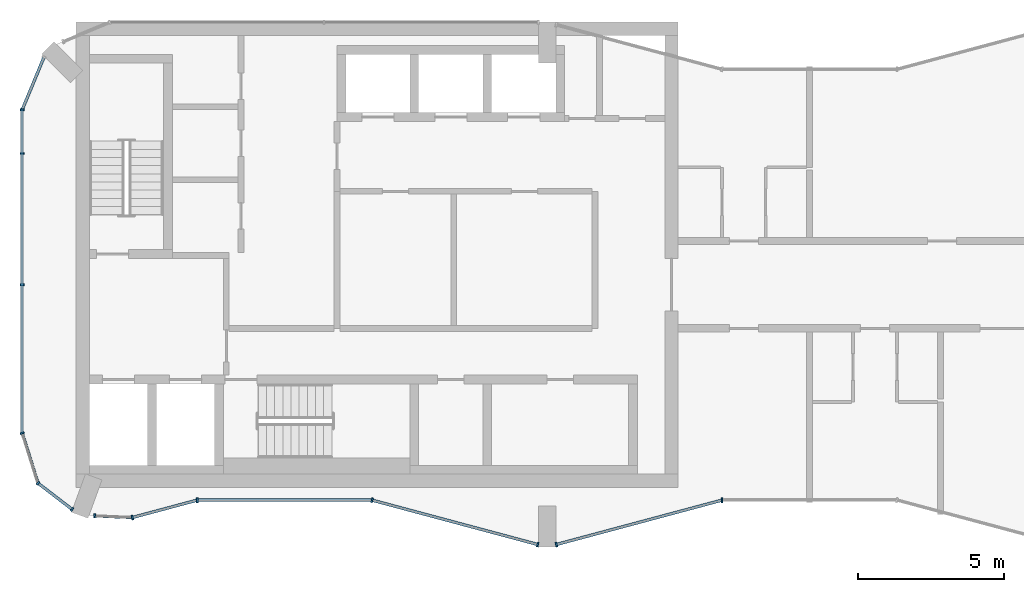
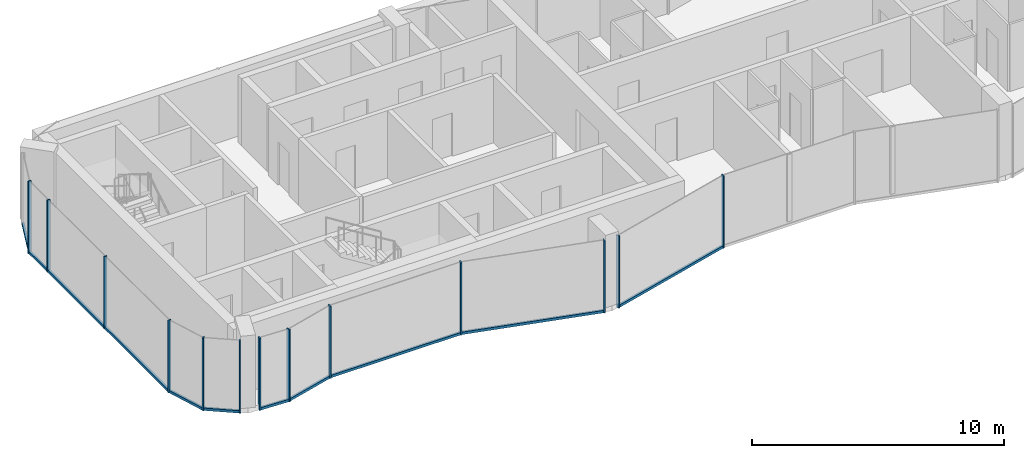
# One storey, part 2 of 10: 22 members, 10 elements without a shape of their own.
"""IFC4 building model written with IfcOpenShell, lengths in metres."""

from ifc_helpers import new_model, si_unit, direction, frame, origin, origin_2d, place, context, subcontext, project, spatial, rectangle, extrude, material, layer, layer_set, material_profile, profile_set, type_object, element, aggregate, save


model = new_model("IFC4")

# Units and contexts
model_context = context("Model", 3, precision=1e-05, world=origin(), true_north=direction((0.0, 1.0)))
body_context = subcontext(model_context, "Body", "Model", "MODEL_VIEW")
ifc_project = project(units=[si_unit("LENGTHUNIT", "METRE"), si_unit("AREAUNIT", "SQUARE_METRE"), si_unit("VOLUMEUNIT", "CUBIC_METRE"), si_unit("PLANEANGLEUNIT", "RADIAN"), si_unit("MASSUNIT", "GRAM", prefix="KILO")], contexts=[model_context])

# Site, building, storey
site_placement = place(None, origin())
site = spatial("IfcSite", under=ifc_project, at=site_placement, CompositionType="ELEMENT")
building_placement = place(site_placement, origin())
building = spatial("IfcBuilding", under=site, at=building_placement, Name="Plateau Cross Towers", CompositionType="ELEMENT")
storey_placement = place(building_placement, frame((0.0, 0.0, 263.39990234375)))
storey = spatial("IfcBuildingStorey", under=building, at=storey_placement, Name="L69", CompositionType="ELEMENT", Elevation=263.39990234375)

# Curtain wall, members
ifc_material_1 = material(Name="Dark low-iron glass", Category="glass")
ifc_layer_1 = layer(ifc_material_1, 0.239990234375)
ifc_layer_set_1 = layer_set([ifc_layer_1], Name="Dark low-iron glass")
curtain_wall_type_1 = type_object("IfcCurtainWallType", Name="Curtain wall flush unitised CW-B", PredefinedType="NOTDEFINED", material=ifc_layer_set_1)
curtain_wall_1_placement = place(storey_placement, origin())
curtain_wall_1 = element("IfcCurtainWall", 1, at=curtain_wall_1_placement, inside=storey, type_object=curtain_wall_type_1, Name="ENV/A/L69/A0_150", PredefinedType="NOTDEFINED")
ifc_material_2 = material(Name="Black anodised aluminium", Category="aluminium")
ifc_material_profile_1 = material_profile(ifc_material_2, rectangle(XDim=0.06005859375, YDim=0.139892578125, at=origin_2d()), Name="MULLION 60x140")
ifc_profile_set_1 = profile_set([ifc_material_profile_1], Name="Black anodised aluminium")
member_type_1 = type_object("IfcMemberType", Name="Mullion 60x140 flush unitised", PredefinedType="MULLION", material=ifc_profile_set_1)
member_1_placement = place(storey_placement, frame((0.0, 15.0, -0.25), z_axis=(0.0, 0.0, 1.0), x_axis=(0.0, -1.0, 0.0)))
member_1 = element("IfcMember", 2, at=member_1_placement, type_object=member_type_1, Name="CW-B mullion 1", PredefinedType="MULLION", context=body_context, shape_type="SweptSolid", body=[
    extrude(rectangle(XDim=0.06005859375, YDim=0.139892578125, at=origin_2d()), origin(), (0.0, 0.0, 1.0), 3.5),
])
member_2_placement = place(storey_placement, frame((0.0, 13.5, -0.25), z_axis=(0.0, 0.0, 1.0), x_axis=(0.0, -1.0, 0.0)))
member_2 = element("IfcMember", 3, at=member_2_placement, type_object=member_type_1, Name="CW-B mullion 2", PredefinedType="MULLION", context=body_context, shape_type="SweptSolid", body=[
    extrude(rectangle(XDim=0.06005859375, YDim=0.139892578125, at=origin_2d()), origin(), (0.0, 0.0, 1.0), 3.5),
])
member_3_placement = place(storey_placement, frame((0.0, 9.0, -0.25), z_axis=(0.0, 0.0, 1.0), x_axis=(0.0, -1.0, 0.0)))
member_3 = element("IfcMember", 4, at=member_3_placement, type_object=member_type_1, Name="CW-B mullion 3", PredefinedType="MULLION", context=body_context, shape_type="SweptSolid", body=[
    extrude(rectangle(XDim=0.06005859375, YDim=0.139892578125, at=origin_2d()), origin(), (0.0, 0.0, 1.0), 3.5),
])

# Curtain wall, member
curtain_wall_2_placement = place(storey_placement, origin())
curtain_wall_2 = element("IfcCurtainWall", 5, at=curtain_wall_2_placement, inside=storey, type_object=curtain_wall_type_1, Name="ENV/A/L69/A0_39", PredefinedType="NOTDEFINED")
member_4_placement = place(storey_placement, frame((0.0, 3.9091796875, -0.25), z_axis=(0.0, 0.0, 1.0), x_axis=(0.300686174994, -0.95372313811, 0.0)))
member_4 = element("IfcMember", 6, at=member_4_placement, type_object=member_type_1, Name="CW-B mullion 1", PredefinedType="MULLION", context=body_context, shape_type="SweptSolid", body=[
    extrude(rectangle(XDim=0.06005859375, YDim=0.139892578125, at=origin_2d()), origin(), (0.0, 0.0, 1.0), 3.5),
])

# Curtain wall, members
curtain_wall_3_placement = place(storey_placement, origin())
curtain_wall_3 = element("IfcCurtainWall", 7, at=curtain_wall_3_placement, inside=storey, type_object=curtain_wall_type_1, Name="ENV/A/L69/A5_22", PredefinedType="NOTDEFINED")
member_5_placement = place(storey_placement, frame((0.54248046875, 2.1884765625, -0.25), z_axis=(0.0, 0.0, 1.0), x_axis=(0.793315514529, -0.608810721331, 0.0)))
member_5 = element("IfcMember", 8, at=member_5_placement, type_object=member_type_1, Name="CW-B mullion 1", PredefinedType="MULLION", context=body_context, shape_type="SweptSolid", body=[
    extrude(rectangle(XDim=0.06005859375, YDim=0.139892578125, at=origin_2d()), origin(), (0.0, 0.0, 1.0), 3.5),
])
member_6_placement = place(storey_placement, frame((1.709716796875, 1.292724609375, -0.25), z_axis=(0.0, 0.0, 1.0), x_axis=(0.793315514529, -0.608810721331, 0.0)))
member_6 = element("IfcMember", 9, at=member_6_placement, type_object=member_type_1, Name="CW-B mullion 2", PredefinedType="MULLION", context=body_context, shape_type="SweptSolid", body=[
    extrude(rectangle(XDim=0.06005859375, YDim=0.139892578125, at=origin_2d()), origin(), (0.0, 0.0, 1.0), 3.5),
])

# Curtain wall, member
curtain_wall_4_placement = place(storey_placement, origin())
curtain_wall_4 = element("IfcCurtainWall", 10, at=curtain_wall_4_placement, inside=storey, type_object=curtain_wall_type_1, Name="ENV/A/L69/A25_11", PredefinedType="NOTDEFINED")
member_7_placement = place(storey_placement, frame((2.483642578125, 1.06787109375, -0.25), z_axis=(0.0, 0.0, 1.0), x_axis=(0.999043701491, -0.043722791671, 0.0)))
member_7 = element("IfcMember", 11, at=member_7_placement, type_object=member_type_1, Name="CW-B mullion 1", PredefinedType="MULLION", context=body_context, shape_type="SweptSolid", body=[
    extrude(rectangle(XDim=0.06005859375, YDim=0.139892578125, at=origin_2d()), origin(), (0.0, 0.0, 1.0), 3.5),
])

ifc_layer_2 = layer(ifc_material_1, 0.260009765625)
ifc_layer_set_2 = layer_set([ifc_layer_2], Name="Dark low-iron glass")
curtain_wall_type_2 = type_object("IfcCurtainWallType", Name="Curtain wall fluted unitised CW-A", PredefinedType="NOTDEFINED", material=ifc_layer_set_2)
curtain_wall_5_placement = place(storey_placement, origin())
curtain_wall_5 = element("IfcCurtainWall", 12, at=curtain_wall_5_placement, inside=storey, type_object=curtain_wall_type_2, Name="ENV/A/L69/A38_10", PredefinedType="NOTDEFINED")
ifc_material_profile_2 = material_profile(ifc_material_2, rectangle(XDim=0.06005859375, YDim=0.159912109375, at=origin_2d()), Name="MULLION 60x160")
ifc_profile_set_2 = profile_set([ifc_material_profile_2], Name="Black anodised aluminium")
member_type_2 = type_object("IfcMemberType", Name="Mullion 60x160 fluted unitised", PredefinedType="MULLION", material=ifc_profile_set_2)
member_8_placement = place(storey_placement, frame((3.776123046875, 1.01123046875, -0.25), z_axis=(0.0, 0.0, 1.0), x_axis=(0.965957962328, 0.258699081978, 0.0)))
member_8 = element("IfcMember", 13, at=member_8_placement, type_object=member_type_2, Name="CW-A mullion 1", PredefinedType="MULLION", context=body_context, shape_type="SweptSolid", body=[
    extrude(rectangle(XDim=0.06005859375, YDim=0.159912109375, at=origin_2d()), origin(), (0.0, 0.0, 1.0), 3.5),
])

curtain_wall_6_placement = place(storey_placement, origin())
curtain_wall_6 = element("IfcCurtainWall", 14, at=curtain_wall_6_placement, inside=storey, type_object=curtain_wall_type_2, Name="ENV/A/L69/A60_16", PredefinedType="NOTDEFINED")
member_9_placement = place(storey_placement, frame((6.0, 1.60693359375, -0.25), z_axis=(0.0, 0.0, 1.0), x_axis=(1.0, 0.0, 0.0)))
member_9 = element("IfcMember", 15, at=member_9_placement, type_object=member_type_2, Name="CW-A mullion 1", PredefinedType="MULLION", context=body_context, shape_type="SweptSolid", body=[
    extrude(rectangle(XDim=0.06005859375, YDim=0.159912109375, at=origin_2d()), origin(), (0.0, 0.0, 1.0), 3.5),
])

# Curtain wall, members
curtain_wall_7_placement = place(storey_placement, origin())
curtain_wall_7 = element("IfcCurtainWall", 16, at=curtain_wall_7_placement, inside=storey, type_object=curtain_wall_type_2, Name="ENV/A/L69/A120_16", PredefinedType="NOTDEFINED")
member_10_placement = place(storey_placement, frame((12.0, 1.60693359375, -0.25), z_axis=(0.0, 0.0, 1.0), x_axis=(0.965957983404, -0.258699003279, 0.0)))
member_10 = element("IfcMember", 17, at=member_10_placement, type_object=member_type_2, Name="CW-A mullion 1", PredefinedType="MULLION", context=body_context, shape_type="SweptSolid", body=[
    extrude(rectangle(XDim=0.06005859375, YDim=0.159912109375, at=origin_2d()), origin(), (0.0, 0.0, 1.0), 3.5),
])
member_11_placement = place(storey_placement, frame((17.68212890625, 0.085205078125, -0.25), z_axis=(0.0, 0.0, 1.0), x_axis=(0.965957983404, -0.258699003279, 0.0)))
member_11 = element("IfcMember", 18, at=member_11_placement, type_object=member_type_2, Name="CW-A mullion 2", PredefinedType="MULLION", context=body_context, shape_type="SweptSolid", body=[
    extrude(rectangle(XDim=0.06005859375, YDim=0.159912109375, at=origin_2d()), origin(), (0.0, 0.0, 1.0), 3.5),
])

# Curtain wall, member
curtain_wall_8_placement = place(storey_placement, origin())
curtain_wall_8 = element("IfcCurtainWall", 19, at=curtain_wall_8_placement, inside=storey, type_object=curtain_wall_type_2, Name="ENV/A/L69/A183_1", PredefinedType="NOTDEFINED")
member_12_placement = place(storey_placement, frame((18.31787109375, 0.085205078125, -0.25), z_axis=(0.0, 0.0, 1.0), x_axis=(0.965957983404, 0.258699003279, 0.0)))
member_12 = element("IfcMember", 20, at=member_12_placement, type_object=member_type_2, Name="CW-A mullion 1", PredefinedType="MULLION", context=body_context, shape_type="SweptSolid", body=[
    extrude(rectangle(XDim=0.06005859375, YDim=0.159912109375, at=origin_2d()), origin(), (0.0, 0.0, 1.0), 3.5),
])

curtain_wall_9_placement = place(storey_placement, origin())
curtain_wall_9 = element("IfcCurtainWall", 21, at=curtain_wall_9_placement, inside=storey, type_object=curtain_wall_type_2, Name="ENV/A/L69/A240_16", PredefinedType="NOTDEFINED")
member_13_placement = place(storey_placement, frame((24.0, 1.60693359375, -0.25), z_axis=(0.0, 0.0, 1.0), x_axis=(1.0, 0.0, 0.0)))
member_13 = element("IfcMember", 22, at=member_13_placement, type_object=member_type_2, Name="CW-A mullion 1", PredefinedType="MULLION", context=body_context, shape_type="SweptSolid", body=[
    extrude(rectangle(XDim=0.06005859375, YDim=0.159912109375, at=origin_2d()), origin(), (0.0, 0.0, 1.0), 3.5),
])
aggregate(curtain_wall_9, [member_13])

curtain_wall_10_placement = place(storey_placement, origin())
curtain_wall_10 = element("IfcCurtainWall", 23, at=curtain_wall_10_placement, inside=storey, type_object=curtain_wall_type_1, Name="ENV/A/L69/A7_168", PredefinedType="NOTDEFINED")
ifc_material_profile_3 = material_profile(ifc_material_2, rectangle(XDim=0.10009765625, YDim=0.1201171875, at=origin_2d()), Name="TRANSOM 100x120")
ifc_profile_set_3 = profile_set([ifc_material_profile_3], Name="Black anodised aluminium")
member_type_3 = type_object("IfcMemberType", Name="Transom 100x120 flush unitised", PredefinedType="USERDEFINED", material=ifc_profile_set_3)
member_14_placement = place(storey_placement, frame((0.748046875, 16.805908203125, -0.18994140625), z_axis=(-0.382690071798, -0.92387678234, 0.0), x_axis=(0.92387678234, -0.382690071798, 0.0)))
member_14 = element("IfcMember", 24, at=member_14_placement, type_object=member_type_3, Name="CW-B transom", ObjectType="TRANSOM", PredefinedType="USERDEFINED", context=body_context, shape_type="SweptSolid", body=[
    extrude(rectangle(XDim=0.10009765625, YDim=0.1201171875, at=origin_2d()), origin(), (0.0, 0.0, 1.0), 1.95458984375),
])
aggregate(curtain_wall_10, [member_14])

# Member
member_15_placement = place(storey_placement, frame((0.0, 15.0, -0.18994140625), z_axis=(0.0, -1.0, 0.0), x_axis=(1.0, 0.0, 0.0)))
member_15 = element("IfcMember", 25, at=member_15_placement, type_object=member_type_3, Name="CW-B transom", ObjectType="TRANSOM", PredefinedType="USERDEFINED", context=body_context, shape_type="SweptSolid", body=[
    extrude(rectangle(XDim=0.10009765625, YDim=0.1201171875, at=origin_2d()), origin(), (0.0, 0.0, 1.0), 11.0908203125),
])

aggregate(curtain_wall_1, [member_1, member_2, member_3, member_15])

member_16_placement = place(storey_placement, frame((0.0, 3.9091796875, -0.18994140625), z_axis=(0.30067799945, -0.953725715626, 0.0), x_axis=(0.953725715626, 0.30067799945, 0.0)))
member_16 = element("IfcMember", 26, at=member_16_placement, type_object=member_type_3, Name="CW-B transom", ObjectType="TRANSOM", PredefinedType="USERDEFINED", context=body_context, shape_type="SweptSolid", body=[
    extrude(rectangle(XDim=0.10009765625, YDim=0.1201171875, at=origin_2d()), origin(), (0.0, 0.0, 1.0), 1.80419921875),
])

aggregate(curtain_wall_2, [member_4, member_16])

member_17_placement = place(storey_placement, frame((0.54248046875, 2.1884765625, -0.18994140625), z_axis=(0.793320508571, -0.608804213751, 0.0), x_axis=(0.608804213751, 0.793320508571, 0.0)))
member_17 = element("IfcMember", 27, at=member_17_placement, type_object=member_type_3, Name="CW-B transom", ObjectType="TRANSOM", PredefinedType="USERDEFINED", context=body_context, shape_type="SweptSolid", body=[
    extrude(rectangle(XDim=0.10009765625, YDim=0.1201171875, at=origin_2d()), origin(), (0.0, 0.0, 1.0), 1.471435546875),
])

aggregate(curtain_wall_3, [member_5, member_6, member_17])

member_18_placement = place(storey_placement, frame((2.483642578125, 1.06787109375, -0.18994140625), z_axis=(0.999041144614, -0.043781175963, 0.0), x_axis=(0.043781175963, 0.999041144614, 0.0)))
member_18 = element("IfcMember", 28, at=member_18_placement, type_object=member_type_3, Name="CW-B transom", ObjectType="TRANSOM", PredefinedType="USERDEFINED", context=body_context, shape_type="SweptSolid", body=[
    extrude(rectangle(XDim=0.10009765625, YDim=0.1201171875, at=origin_2d()), origin(), (0.0, 0.0, 1.0), 1.293701171875),
])

aggregate(curtain_wall_4, [member_7, member_18])

ifc_material_profile_4 = material_profile(ifc_material_2, rectangle(XDim=0.10009765625, YDim=0.1201171875, at=origin_2d()), Name="TRANSOM 100x120")
ifc_profile_set_4 = profile_set([ifc_material_profile_4], Name="Black anodised aluminium")
member_type_4 = type_object("IfcMemberType", Name="Transom 100x120 fluted unitised", PredefinedType="USERDEFINED", material=ifc_profile_set_4)
member_19_placement = place(storey_placement, frame((3.776123046875, 1.01123046875, -0.18994140625), z_axis=(0.965945685136, 0.258744919501, 0.0), x_axis=(-0.258744919501, 0.965945685136, 0.0)))
member_19 = element("IfcMember", 29, at=member_19_placement, type_object=member_type_4, Name="CW-A transom", ObjectType="TRANSOM", PredefinedType="USERDEFINED", context=body_context, shape_type="SweptSolid", body=[
    extrude(rectangle(XDim=0.10009765625, YDim=0.1201171875, at=origin_2d()), origin(), (0.0, 0.0, 1.0), 2.30224609375),
])

aggregate(curtain_wall_5, [member_8, member_19])

member_20_placement = place(storey_placement, frame((6.0, 1.60693359375, -0.18994140625), z_axis=(1.0, 0.0, 0.0), x_axis=(0.0, 1.0, 0.0)))
member_20 = element("IfcMember", 30, at=member_20_placement, type_object=member_type_4, Name="CW-A transom", ObjectType="TRANSOM", PredefinedType="USERDEFINED", context=body_context, shape_type="SweptSolid", body=[
    extrude(rectangle(XDim=0.10009765625, YDim=0.1201171875, at=origin_2d()), origin(), (0.0, 0.0, 1.0), 6.0),
])

aggregate(curtain_wall_6, [member_9, member_20])

member_21_placement = place(storey_placement, frame((12.0, 1.60693359375, -0.18994140625), z_axis=(0.965959534794, -0.258693210465, 0.0), x_axis=(0.258693210465, 0.965959534794, 0.0)))
member_21 = element("IfcMember", 31, at=member_21_placement, type_object=member_type_4, Name="CW-A transom", ObjectType="TRANSOM", PredefinedType="USERDEFINED", context=body_context, shape_type="SweptSolid", body=[
    extrude(rectangle(XDim=0.10009765625, YDim=0.1201171875, at=origin_2d()), origin(), (0.0, 0.0, 1.0), 5.88232421875),
])

aggregate(curtain_wall_7, [member_10, member_11, member_21])

member_22_placement = place(storey_placement, frame((18.31787109375, 0.085205078125, -0.18994140625), z_axis=(0.965959534794, 0.258693210465, 0.0), x_axis=(-0.258693210465, 0.965959534794, 0.0)))
member_22 = element("IfcMember", 32, at=member_22_placement, type_object=member_type_4, Name="CW-A transom", ObjectType="TRANSOM", PredefinedType="USERDEFINED", context=body_context, shape_type="SweptSolid", body=[
    extrude(rectangle(XDim=0.10009765625, YDim=0.1201171875, at=origin_2d()), origin(), (0.0, 0.0, 1.0), 5.88232421875),
])

aggregate(curtain_wall_8, [member_12, member_22])

save(model, "model.ifc")
